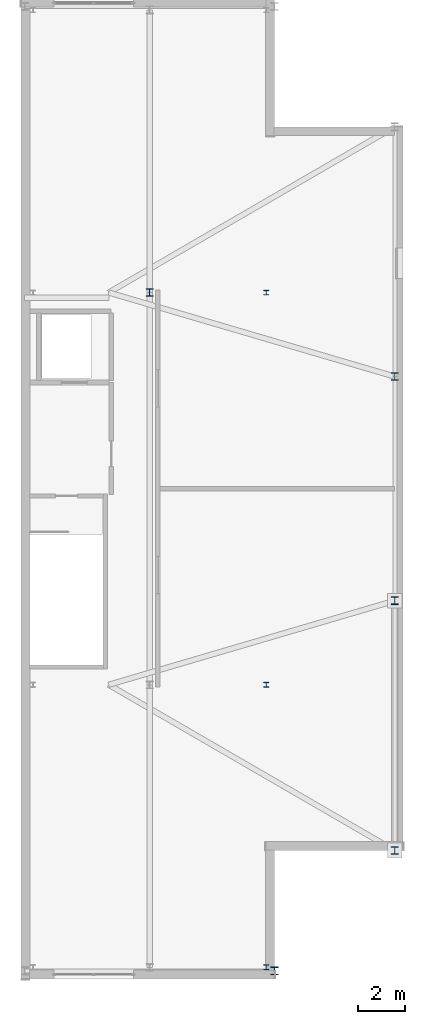
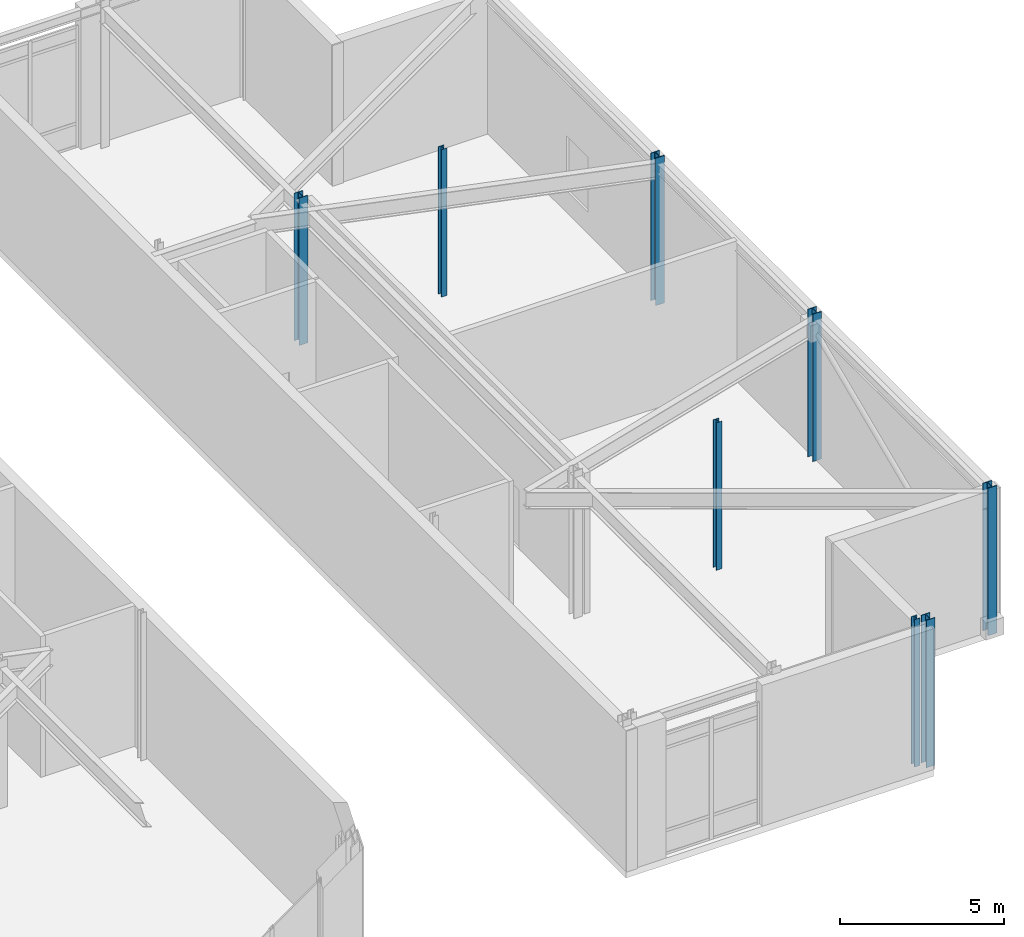
# One storey, part 4 of 14: 8 columns.
"""IFC4 building model written with IfcOpenShell, lengths in metres."""

from ifc_helpers import new_model, si_unit, direction, frame, origin, origin_2d, place, context, subcontext, project, spatial, i_section, extrude, material, material_profile, profile_set, type_object, element, save


model = new_model("IFC4")

# Units and contexts
model_context = context("Model", 3, precision=1e-05, world=origin(), true_north=direction((0.0, 1.0)))
body_context = subcontext(model_context, "Body", "Model", "MODEL_VIEW")
ifc_project = project(units=[si_unit("LENGTHUNIT", "METRE"), si_unit("AREAUNIT", "SQUARE_METRE"), si_unit("VOLUMEUNIT", "CUBIC_METRE"), si_unit("PLANEANGLEUNIT", "RADIAN"), si_unit("MASSUNIT", "GRAM", prefix="KILO")], contexts=[model_context])

# Site, building, storey
site_placement = place(None, origin())
site = spatial("IfcSite", under=ifc_project, at=site_placement, CompositionType="ELEMENT")
building_placement = place(site_placement, origin())
building = spatial("IfcBuilding", under=site, at=building_placement, Name="Cairnveth Concourse Tower", CompositionType="ELEMENT")
storey_placement = place(building_placement, frame((0.0, 0.0, 330.0)))
storey = spatial("IfcBuildingStorey", under=building, at=storey_placement, Name="L90", CompositionType="ELEMENT", Elevation=330.0)

# Columns
ifc_material = material(Name="Steel Grade 350", Category="steel")
ifc_material_profile_1 = material_profile(ifc_material, i_section(OverallWidth=0.202880859375, OverallDepth=0.202880859375, WebThickness=0.00927734375, FlangeThickness=0.01416015625, FilletRadius=0.010009765625, at=origin_2d()), Name="200UC59.5")
ifc_profile_set_1 = profile_set([ifc_material_profile_1], Name="Steel Grade 350")
column_type_1 = type_object("IfcColumnType", Name="PILASTER STEEL COLUMN 200UC59.5", PredefinedType="PILASTER", material=ifc_profile_set_1)
for number, where, z_axis, x_axis, name in (
    (1, (67.14990234375, 18.5, 0.0), (0.0, 0.0, 1.0), (1.0, 0.0, 0.0), "Column CRR-E1 L90"),
    (2, (67.14990234375, 30.60009765625, 0.0), (0.0, 0.0, 1.0), (1.0, 0.0, 0.0), "Column CRR-E2 L90"),
    (3, (67.14990234375, 47.39990234375, 0.0), (0.0, 0.0, 1.0), (1.0, 0.0, 0.0), "Column CRR-E3 L90"),
):
    element("IfcColumn", number, at=place(storey_placement, frame(where, z_axis=z_axis, x_axis=x_axis)), inside=storey, type_object=column_type_1, Name=name, PredefinedType="PILASTER", context=body_context, shape_type="SweptSolid", body=[
        extrude(i_section(OverallWidth=0.202880859375, OverallDepth=0.202880859375, WebThickness=0.00927734375, FlangeThickness=0.01416015625, FilletRadius=0.010009765625, at=origin_2d()), origin(), (0.0, 0.0, 1.0), 5.5),
    ])
ifc_material_profile_2 = material_profile(ifc_material, i_section(OverallWidth=0.306884765625, OverallDepth=0.31494140625, WebThickness=0.011962890625, FlangeThickness=0.018798828125, FilletRadius=0.01611328125, at=origin_2d()), Name="310UC118")
ifc_profile_set_2 = profile_set([ifc_material_profile_2], Name="Steel Grade 350")
column_type_2 = type_object("IfcColumnType", Name="UNIVERSAL STEEL COLUMN 310UC118", PredefinedType="COLUMN", material=ifc_profile_set_2)
column_placement = place(storey_placement, frame((62.14990234375, 47.39990234375, 0.0), z_axis=(0.0, 0.0, 1.0), x_axis=(1.0, 0.0, 0.0)))
element("IfcColumn", 4, at=column_placement, inside=storey, type_object=column_type_2, Name="Column CRM-E3 L90", PredefinedType="COLUMN", context=body_context, shape_type="SweptSolid", body=[
    extrude(i_section(OverallWidth=0.306884765625, OverallDepth=0.31494140625, WebThickness=0.011962890625, FlangeThickness=0.018798828125, FilletRadius=0.01611328125, at=origin_2d()), origin(), (0.0, 0.0, 1.0), 5.5),
])
ifc_material_profile_3 = material_profile(ifc_material, i_section(OverallWidth=0.31103515625, OverallDepth=0.326904296875, WebThickness=0.015625, FlangeThickness=0.02490234375, FilletRadius=0.01611328125, at=origin_2d()), Name="310UC158")
ifc_profile_set_3 = profile_set([ifc_material_profile_3], Name="Steel Grade 350")
column_type_3 = type_object("IfcColumnType", Name="UNIVERSAL STEEL COLUMN 310UC158", PredefinedType="COLUMN", material=ifc_profile_set_3)
for number, where, z_axis, x_axis, name in (
    (5, (67.5, 18.35009765625, 0.0), (0.0, 0.0, 1.0), (1.0, 0.0, 0.0), "Column CR-S4 L90"),
    (6, (72.64990234375, 23.5, 0.0), (0.0, 0.0, 1.0), (1.0, 0.0, 0.0), "Column CR-E1 L90"),
    (7, (72.64990234375, 34.199951171875, 0.0), (0.0, 0.0, 1.0), (1.0, 0.0, 0.0), "Column CR-E2 L90"),
    (8, (72.64990234375, 43.800048828125, 0.0), (0.0, 0.0, 1.0), (1.0, 0.0, 0.0), "Column CR-E3 L90"),
):
    element("IfcColumn", number, at=place(storey_placement, frame(where, z_axis=z_axis, x_axis=x_axis)), inside=storey, type_object=column_type_3, Name=name, PredefinedType="COLUMN", context=body_context, shape_type="SweptSolid", body=[
        extrude(i_section(OverallWidth=0.31103515625, OverallDepth=0.326904296875, WebThickness=0.015625, FlangeThickness=0.02490234375, FilletRadius=0.01611328125, at=origin_2d()), origin(), (0.0, 0.0, 1.0), 5.5),
    ])

save(model, "model.ifc")
